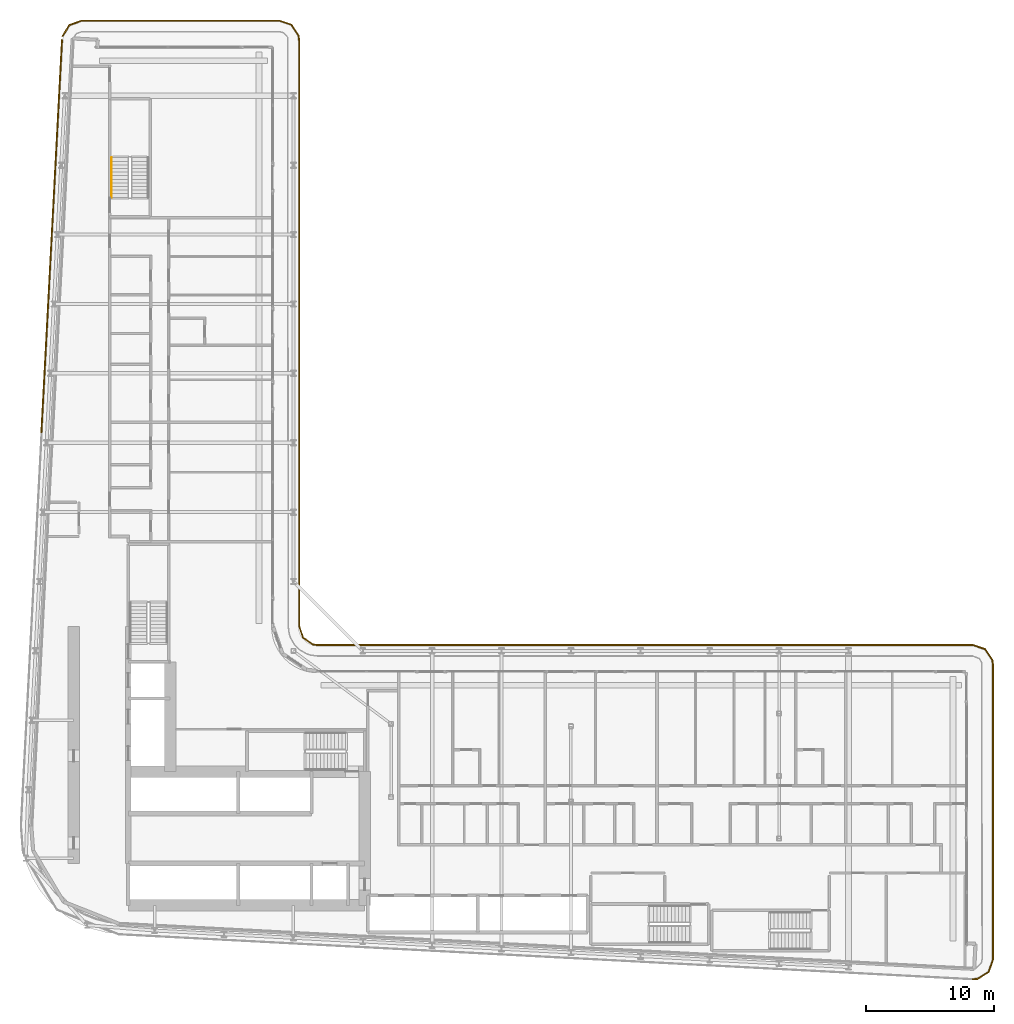
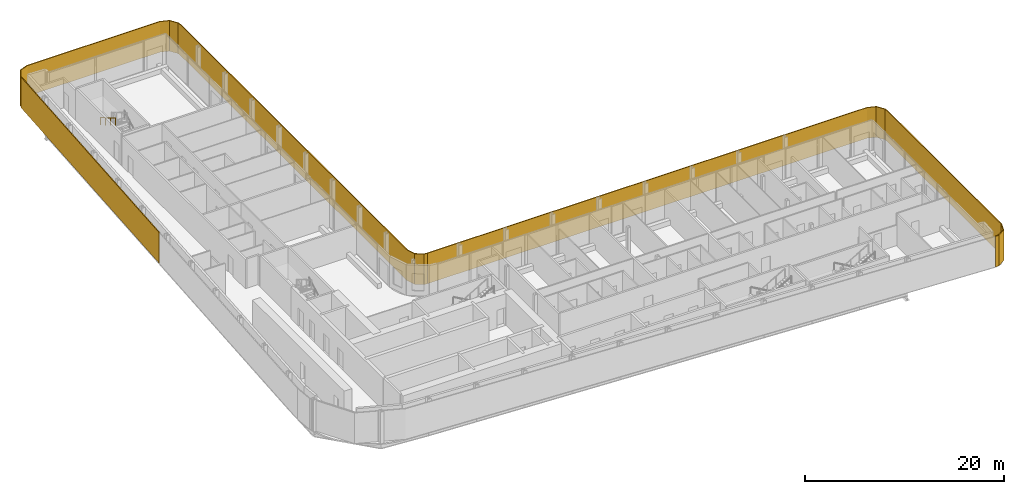
# One storey, part 23 of 25: 3 shading devices, 1 railing.
"""IFC4 building model written with IfcOpenShell, lengths in metres."""

from ifc_helpers import new_model, si_unit, direction, frame, origin, origin_2d, place, context, subcontext, project, spatial, polyline, rectangle, circle, outline, extrude, material, layer, layer_set, type_object, element, save


model = new_model("IFC4")

# Units and contexts
model_context = context("Model", 3, precision=1e-05, world=origin(), true_north=direction((0.0, 1.0)))
body_context = subcontext(model_context, "Body", "Model", "MODEL_VIEW")
ifc_project = project(units=[si_unit("LENGTHUNIT", "METRE"), si_unit("AREAUNIT", "SQUARE_METRE"), si_unit("VOLUMEUNIT", "CUBIC_METRE"), si_unit("PLANEANGLEUNIT", "RADIAN"), si_unit("MASSUNIT", "GRAM", prefix="KILO")], contexts=[model_context])

# Site, building, storey
site_placement = place(None, origin())
site = spatial("IfcSite", under=ifc_project, at=site_placement, CompositionType="ELEMENT")
building_placement = place(site_placement, origin())
building = spatial("IfcBuilding", under=site, at=building_placement, Name="Kheshtan School and Residences Tower", CompositionType="ELEMENT")
storey_placement = place(building_placement, frame((0.0, 0.0, 109.699951171875)))
storey = spatial("IfcBuildingStorey", under=building, at=storey_placement, Name="L25", CompositionType="ELEMENT", Elevation=109.699951171875)

# Shading devices
ifc_material_1 = material(Name="Terracotta baguette, extruded ceramic", Category="masonry")
ifc_layer_1 = layer(ifc_material_1, 0.10009765625)
ifc_layer_set_1 = layer_set([ifc_layer_1], Name="Ledge screen, terracotta baguettes")
shading_device_type_1 = type_object("IfcShadingDeviceType", Name="Ledge screen, terracotta baguettes", PredefinedType="USERDEFINED", material=ifc_layer_set_1)
shading_device_1_placement = place(storey_placement, frame((28.785888671875, 77.884033203125, 0.0), z_axis=(0.0, 0.0, 1.0), x_axis=(0.052562536748, 0.998617634398, 0.0)))
element("IfcShadingDevice", 1, at=shading_device_1_placement, inside=storey, type_object=shading_device_type_1, Name="Screen L25 5", ObjectType="BAGUETTE", PredefinedType="USERDEFINED", context=body_context, shape_type="SweptSolid", body=[
    extrude(rectangle(XDim=30.636962890625, YDim=0.10009765625, at=origin_2d()), origin(), (0.0, 0.0, 1.0), 3.75),
])
ifc_material_2 = material(Name="Terracotta lattice, extruded ceramic", Category="masonry")
ifc_layer_2 = layer(ifc_material_2, 0.10009765625)
ifc_layer_set_2 = layer_set([ifc_layer_2], Name="Loggia screen, terracotta lattice")
shading_device_type_2 = type_object("IfcShadingDeviceType", Name="Loggia screen, terracotta lattice", PredefinedType="USERDEFINED", material=ifc_layer_set_2)
shading_device_2_placement = place(storey_placement, origin())
element("IfcShadingDevice", 2, at=shading_device_2_placement, inside=storey, type_object=shading_device_type_2, Name="Screen L25 1", ObjectType="SCREEN", PredefinedType="USERDEFINED", context=body_context, shape_type="SweptSolid", body=[
    extrude(outline(polyline([(29.666015625, 93.384033203125), (30.18408203125, 94.257080078125), (31.138916015625, 94.60009765625), (46.5, 94.60009765625), (47.4130859375, 94.2900390625), (47.948974609375, 93.488037109375), (48.0, 93.10009765625), (48.0, 47.5), (48.31005859375, 46.5869140625), (49.112060546875, 46.051025390625), (49.5, 46.0), (49.512939453125, 46.09912109375), (49.14794921875, 46.14697265625), (48.39404296875, 46.65087890625), (48.10009765625, 47.51708984375), (48.10009765625, 93.10693359375), (48.044921875, 93.52392578125), (47.47705078125, 94.3740234375), (46.51708984375, 94.699951171875), (31.1220703125, 94.699951171875), (30.115966796875, 94.339111328125), (29.580078125, 93.43505859375), (29.666015625, 93.384033203125)])), origin(), (0.0, 0.0, 1.0), 3.75),
])
shading_device_3_placement = place(storey_placement, origin())
element("IfcShadingDevice", 3, at=shading_device_3_placement, inside=storey, type_object=shading_device_type_2, Name="Screen L25 2", ObjectType="SCREEN", PredefinedType="USERDEFINED", context=body_context, shape_type="SweptSolid", body=[
    extrude(outline(polyline([(49.5, 46.0), (100.5, 46.0), (101.4130859375, 45.68994140625), (101.948974609375, 44.887939453125), (102.0, 44.5), (102.0, 21.5810546875), (101.669921875, 20.64208984375), (100.823974609375, 20.116943359375), (100.4208984375, 20.0830078125), (100.428955078125, 19.98291015625), (100.85595703125, 20.01904296875), (101.7529296875, 20.575927734375), (102.10009765625, 21.56396484375), (102.10009765625, 44.507080078125), (102.044921875, 44.924072265625), (101.47705078125, 45.77392578125), (100.51708984375, 46.10009765625), (49.5, 46.10009765625), (49.5, 46.0)])), origin(), (0.0, 0.0, 1.0), 3.75),
])

# Railing
ifc_material_3 = material(Name="Stainless steel handrail", Category="steel")
railing_type = type_object("IfcRailingType", Name="Stair handrail 900", PredefinedType="HANDRAIL", material=ifc_material_3)
railing_placement = place(storey_placement, frame((33.449951171875, 83.97998046875, 2.112548828125)))
element("IfcRailing", 4, at=railing_placement, inside=storey, type_object=railing_type, Name="L25 ST3 stair handrail 2", PredefinedType="HANDRAIL", context=body_context, shape_type="SweptSolid", body=[
    extrude(circle(Radius=0.02392578125, at=origin_2d()), frame((0.0, 0.0, 0.8759765625), z_axis=(0.0, -0.864890721111, 0.501960198159), x_axis=(1.0, 0.0, 0.0)), (0.0, 0.0, 1.0), 3.561279296875),
    extrude(circle(Radius=0.02099609375, at=origin_2d()), origin(), (0.0, 0.0, 1.0), 0.851806640625),
    extrude(circle(Radius=0.02099609375, at=origin_2d()), frame((0.0, -1.026611328125, 0.595947265625)), (0.0, 0.0, 1.0), 0.851806640625),
    extrude(circle(Radius=0.02099609375, at=origin_2d()), frame((0.0, -2.053466796875, 1.191650390625)), (0.0, 0.0, 1.0), 0.851806640625),
    extrude(circle(Radius=0.02099609375, at=origin_2d()), frame((0.0, -3.080078125, 1.78759765625)), (0.0, 0.0, 1.0), 0.851806640625),
])

save(model, "model.ifc")
